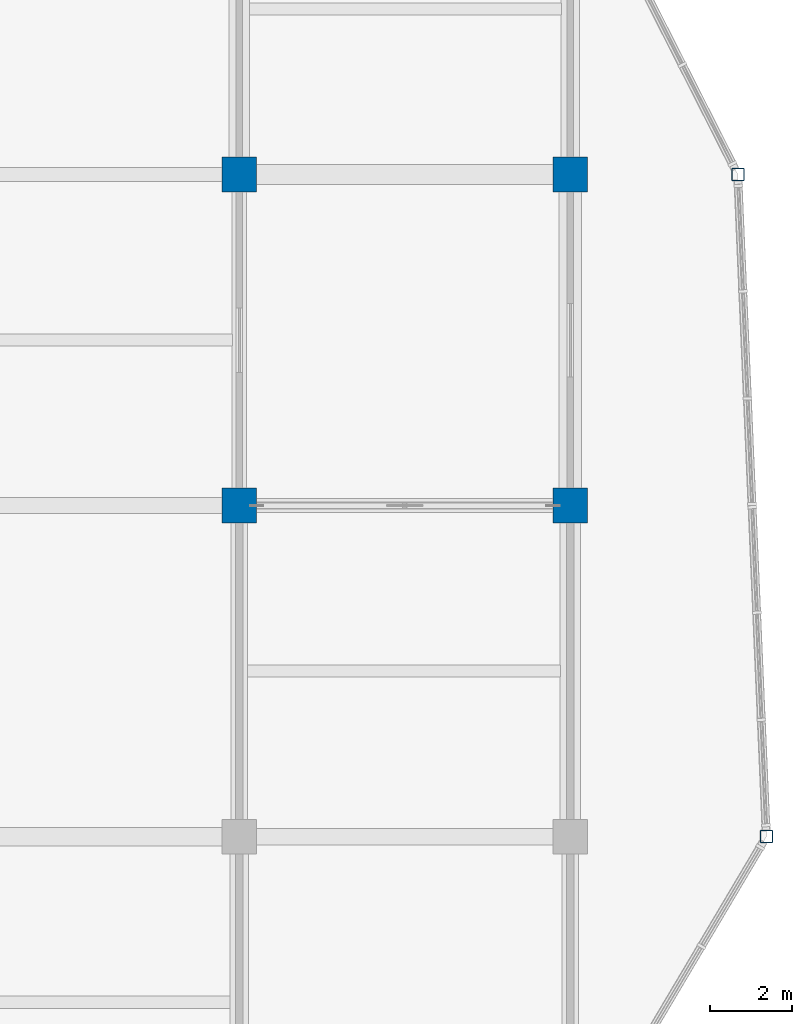
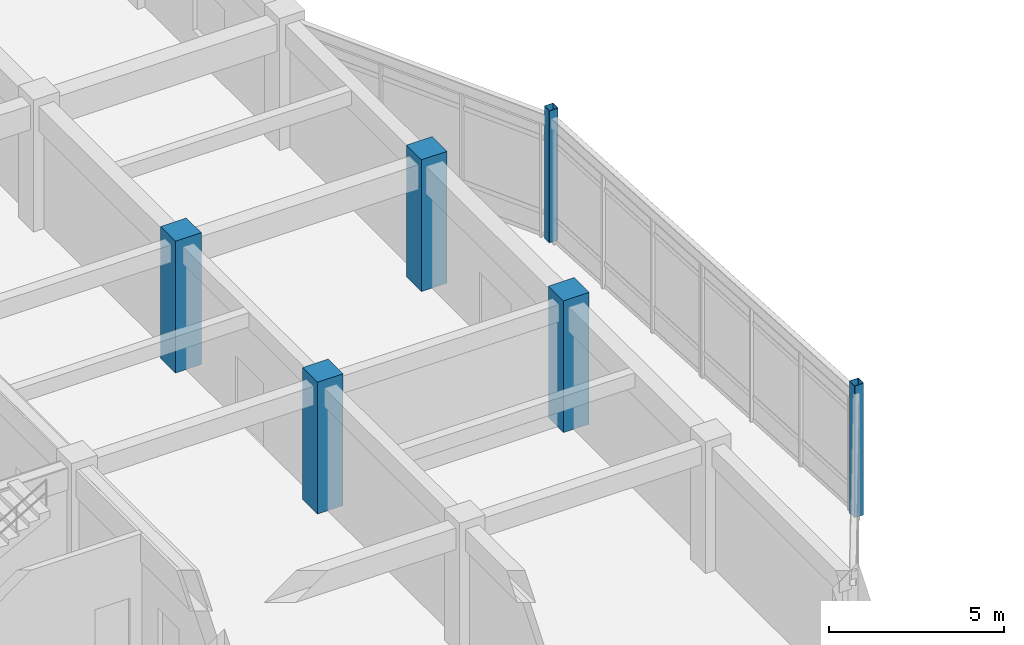
# One storey, part 9 of 93: 6 columns.
"""IFC4 building model written with IfcOpenShell, lengths in metres."""

from ifc_helpers import new_model, si_unit, direction, frame, origin, origin_2d, place, context, subcontext, project, spatial, rectangle, hollow_rectangle, extrude, material, material_profile, profile_set, type_object, element, save


model = new_model("IFC4")

# Units and contexts
model_context = context("Model", 3, precision=1e-05, world=origin(), true_north=direction((0.0, 1.0)))
body_context = subcontext(model_context, "Body", "Model", "MODEL_VIEW")
ifc_project = project(units=[si_unit("LENGTHUNIT", "METRE"), si_unit("AREAUNIT", "SQUARE_METRE"), si_unit("VOLUMEUNIT", "CUBIC_METRE"), si_unit("PLANEANGLEUNIT", "RADIAN"), si_unit("MASSUNIT", "GRAM", prefix="KILO")], contexts=[model_context])

# Site, building, storey
site_placement = place(None, origin())
site = spatial("IfcSite", under=ifc_project, at=site_placement, CompositionType="ELEMENT")
building_placement = place(site_placement, origin())
building = spatial("IfcBuilding", under=site, at=building_placement, Name="Vaudrelin Polytechnic", CompositionType="ELEMENT")
storey_placement = place(building_placement, frame((0.0, 0.0, 5.10009765625)))
storey = spatial("IfcBuildingStorey", under=building, at=storey_placement, Name="L01", CompositionType="ELEMENT", Elevation=5.10009765625)

# Columns
ifc_material_1 = material(Name="Steel CSA G40.21 350WT", Category="steel")
ifc_material_profile_1 = material_profile(ifc_material_1, hollow_rectangle(XDim=0.304931640625, YDim=0.304931640625, WallThickness=0.0126953125, InnerFilletRadius=0.0126953125, OuterFilletRadius=0.025390625, at=origin_2d()), Name="HSS305x305x12.7")
ifc_profile_set_1 = profile_set([ifc_material_profile_1], Name="Steel CSA G40.21 350WT")
column_type_1 = type_object("IfcColumnType", Name="COL-C-HSS305", PredefinedType="COLUMN", material=ifc_profile_set_1)
for number, where, z_axis, x_axis, name in (
    (1, (174.89990234375, 32.39990234375, 0.0), (0.0, 0.0, 1.0), (1.0, 0.0, 0.0), "Deconstructivist column L01 E_OR1_1"),
    (2, (174.199951171875, 48.60009765625, 0.0), (0.0, 0.0, 1.0), (1.0, 0.0, 0.0), "Deconstructivist column L01 E_OR1_2"),
):
    element("IfcColumn", number, at=place(storey_placement, frame(where, z_axis=z_axis, x_axis=x_axis)), inside=storey, type_object=column_type_1, Name=name, PredefinedType="COLUMN", context=body_context, shape_type="SweptSolid", body=[
        extrude(hollow_rectangle(XDim=0.304931640625, YDim=0.304931640625, WallThickness=0.0126953125, InnerFilletRadius=0.0126953125, OuterFilletRadius=0.025390625, at=origin_2d()), origin(), (0.0, 0.0, 1.0), 4.58984375),
    ])
ifc_material_2 = material(Name="Concrete 50 MPa", Category="concrete")
ifc_material_profile_2 = material_profile(ifc_material_2, rectangle(XDim=0.85009765625, YDim=0.85009765625, at=origin_2d()), Name="RC850x850")
ifc_profile_set_2 = profile_set([ifc_material_profile_2], Name="Concrete 50 MPa")
column_type_2 = type_object("IfcColumnType", Name="COL-C-RC850", PredefinedType="COLUMN", material=ifc_profile_set_2)
for number, where, z_axis, x_axis, name in (
    (3, (162.0, 40.5, 0.0), (0.0, 0.0, 1.0), (1.0, 0.0, 0.0), "Column L01 21-6"),
    (4, (162.0, 48.60009765625, 0.0), (0.0, 0.0, 1.0), (1.0, 0.0, 0.0), "Column L01 21-7"),
    (5, (170.10009765625, 40.5, 0.0), (0.0, 0.0, 1.0), (1.0, 0.0, 0.0), "Column L01 22-6"),
    (6, (170.10009765625, 48.60009765625, 0.0), (0.0, 0.0, 1.0), (1.0, 0.0, 0.0), "Column L01 22-7"),
):
    element("IfcColumn", number, at=place(storey_placement, frame(where, z_axis=z_axis, x_axis=x_axis)), inside=storey, type_object=column_type_2, Name=name, PredefinedType="COLUMN", context=body_context, shape_type="SweptSolid", body=[
        extrude(rectangle(XDim=0.85009765625, YDim=0.85009765625, at=origin_2d()), origin(), (0.0, 0.0, 1.0), 4.58984375),
    ])

save(model, "model.ifc")
